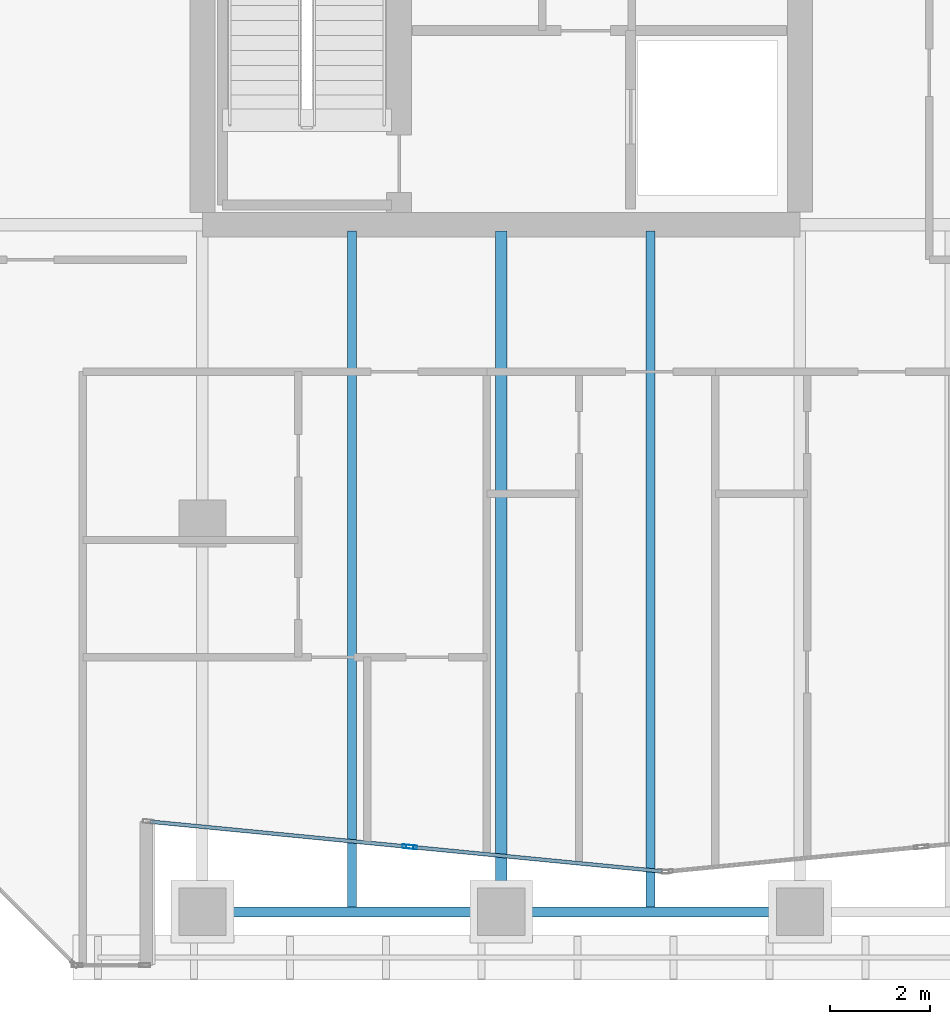
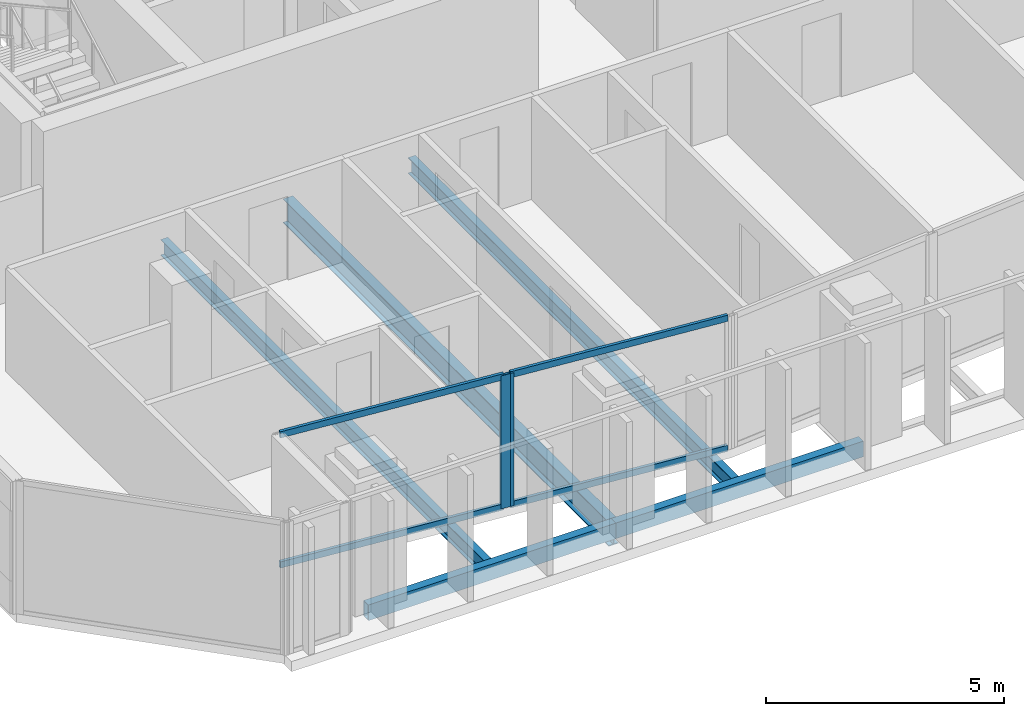
# One storey, part 3 of 39: 6 members, 5 beams, 2 elements without a shape of their own.
"""IFC4 building model written with IfcOpenShell, lengths in metres."""

from ifc_helpers import new_model, si_unit, direction, frame, origin, origin_2d, place, context, subcontext, project, spatial, hollow_rectangle, i_section, extrude, material, layer, layer_set, material_profile, profile_set, type_object, element, aggregate, save


model = new_model("IFC4")

# Units and contexts
model_context = context("Model", 3, precision=1e-05, world=origin(), true_north=direction((0.0, 1.0)))
body_context = subcontext(model_context, "Body", "Model", "MODEL_VIEW")
ifc_project = project(units=[si_unit("LENGTHUNIT", "METRE"), si_unit("AREAUNIT", "SQUARE_METRE"), si_unit("VOLUMEUNIT", "CUBIC_METRE"), si_unit("PLANEANGLEUNIT", "RADIAN"), si_unit("MASSUNIT", "GRAM", prefix="KILO")], contexts=[model_context])

# Site, building, storey
site_placement = place(None, origin())
site = spatial("IfcSite", under=ifc_project, at=site_placement, CompositionType="ELEMENT")
building_placement = place(site_placement, origin())
building = spatial("IfcBuilding", under=site, at=building_placement, Name="Tanjung Sevakor Pilgrim Tower", CompositionType="ELEMENT")
storey_placement = place(building_placement, frame((0.0, 0.0, 112.199951171875)))
storey = spatial("IfcBuildingStorey", under=building, at=storey_placement, Name="L31", CompositionType="ELEMENT", Elevation=112.199951171875)

# Beams
ifc_material_1 = material(Name="Steel S355J2", Category="steel")
ifc_material_profile_1 = material_profile(ifc_material_1, i_section(OverallWidth=0.230224609375, OverallDepth=0.6171875, WebThickness=0.01318359375, FlangeThickness=0.022216796875, FilletRadius=0.0126953125, at=origin_2d()))
ifc_profile_set_1 = profile_set([ifc_material_profile_1], Name="Steel S355J2")
beam_type_1 = type_object("IfcBeamType", Name="BM-B-G3-UB_610x229x140", PredefinedType="BEAM", material=ifc_profile_set_1)
beam_placement = place(storey_placement, frame((30.0, 10.800048828125, -0.528564453125), z_axis=(0.0, 1.0, 0.0), x_axis=(-1.0, 0.0, 0.0)))
element("IfcBeam", 1, at=beam_placement, inside=storey, type_object=beam_type_1, Name="L31 MAIN Girder 005", PredefinedType="BEAM", context=body_context, shape_type="SweptSolid", body=[
    extrude(i_section(OverallWidth=0.230224609375, OverallDepth=0.6171875, WebThickness=0.01318359375, FlangeThickness=0.022216796875, FilletRadius=0.0126953125, at=origin_2d()), origin(), (0.0, 0.0, 1.0), 13.672607421875),
])
ifc_material_2 = material(Name="Steel S355J2", Category="steel")
ifc_material_profile_2 = material_profile(ifc_material_2, i_section(OverallWidth=0.1787109375, OverallDepth=0.409423828125, WebThickness=0.0087890625, FlangeThickness=0.014404296875, FilletRadius=0.01025390625, at=origin_2d()))
ifc_profile_set_2 = profile_set([ifc_material_profile_2], Name="Steel S355J2")
beam_type_2 = type_object("IfcBeamType", Name="BM-B-J3-UB_406x178x67", PredefinedType="JOIST", material=ifc_profile_set_2)
for number, where, z_axis, x_axis, name in (
    (2, (27.0, 10.89990234375, -0.424560546875), (0.0, 1.0, 0.0), (-1.0, 0.0, 0.0), "L31 MAIN Joist 003"),
    (3, (33.0, 10.89990234375, -0.424560546875), (0.0, 1.0, 0.0), (-1.0, 0.0, 0.0), "L31 MAIN Joist 007"),
):
    element("IfcBeam", number, at=place(storey_placement, frame(where, z_axis=z_axis, x_axis=x_axis)), inside=storey, type_object=beam_type_2, Name=name, PredefinedType="JOIST", context=body_context, shape_type="SweptSolid", body=[
        extrude(i_section(OverallWidth=0.1787109375, OverallDepth=0.409423828125, WebThickness=0.0087890625, FlangeThickness=0.014404296875, FilletRadius=0.01025390625, at=origin_2d()), origin(), (0.0, 0.0, 1.0), 13.57275390625),
    ])
ifc_material_3 = material(Name="Steel S355J2", Category="steel")
ifc_material_profile_3 = material_profile(ifc_material_3, hollow_rectangle(XDim=0.199951171875, YDim=0.39990234375, WallThickness=0.01611328125, at=origin_2d()))
ifc_profile_set_3 = profile_set([ifc_material_profile_3], Name="Steel S355J2")
beam_type_3 = type_object("IfcBeamType", Name="BM-B-SP2-RHS_400x200x16", PredefinedType="SPANDREL", material=ifc_profile_set_3)
for number, where, z_axis, x_axis, name in (
    (4, (24.0, 10.800048828125, -0.419921875), (1.0, 0.0, 0.0), (0.0, 1.0, 0.0), "L31 Spandrel MAIN S-01"),
    (5, (30.0, 10.800048828125, -0.419921875), (1.0, 0.0, 0.0), (0.0, 1.0, 0.0), "L31 Spandrel MAIN S-03"),
):
    element("IfcBeam", number, at=place(storey_placement, frame(where, z_axis=z_axis, x_axis=x_axis)), inside=storey, type_object=beam_type_3, Name=name, PredefinedType="SPANDREL", context=body_context, shape_type="SweptSolid", body=[
        extrude(hollow_rectangle(XDim=0.199951171875, YDim=0.39990234375, WallThickness=0.01611328125, at=origin_2d()), origin(), (0.0, 0.0, 1.0), 6.0),
    ])

# Curtain wall, member
ifc_material_4 = material(Name="Aluminium 6063-T6 and Low-E Glass", Category="aluminium")
ifc_layer = layer(ifc_material_4, 0.199951171875)
ifc_layer_set = layer_set([ifc_layer], Name="CW-SYS-PRAY")
curtain_wall_type = type_object("IfcCurtainWallType", Name="CW-SYS-PRAY", PredefinedType="NOTDEFINED", material=ifc_layer_set)
curtain_wall_1_placement = place(storey_placement, origin())
curtain_wall_1 = element("IfcCurtainWall", 6, at=curtain_wall_1_placement, inside=storey, type_object=curtain_wall_type, Name="L31 Curtain Wall CW-PRY-L31-2", PredefinedType="NOTDEFINED")
ifc_material_5 = material(Name="Aluminium 6063-T6", Category="aluminium")
ifc_material_profile_4 = material_profile(ifc_material_5, hollow_rectangle(XDim=0.074951171875, YDim=0.219970703125, WallThickness=0.0048828125, at=origin_2d()))
ifc_profile_set_4 = profile_set([ifc_material_profile_4], Name="Aluminium 6063-T6")
member_type_1 = type_object("IfcMemberType", Name="TYPE-CWM-2", PredefinedType="MULLION", material=ifc_profile_set_4)
member_1_placement = place(storey_placement, frame((28.124755859375, 12.10791015625, 0.0), z_axis=(0.0, 0.0, 1.0), x_axis=(0.096631025687, 0.995320272513, 0.0)))
member_1 = element("IfcMember", 7, at=member_1_placement, type_object=member_type_1, Name="CW-PRY mullion 2", PredefinedType="MULLION", context=body_context, shape_type="SweptSolid", body=[
    extrude(hollow_rectangle(XDim=0.074951171875, YDim=0.219970703125, WallThickness=0.0048828125, at=origin_2d()), origin(), (0.0, 0.0, 1.0), 3.41015625),
])

curtain_wall_2_placement = place(storey_placement, origin())
curtain_wall_2 = element("IfcCurtainWall", 8, at=curtain_wall_2_placement, inside=storey, type_object=curtain_wall_type, Name="L31 Curtain Wall CW-PRY-L31-3", PredefinedType="NOTDEFINED")
member_2_placement = place(storey_placement, frame((28.199462890625, 12.100830078125, 0.0), z_axis=(0.0, 0.0, 1.0), x_axis=(0.096628173007, 0.995320549462, 0.0)))
member_2 = element("IfcMember", 9, at=member_2_placement, type_object=member_type_1, Name="CW-PRY mullion 1", PredefinedType="MULLION", context=body_context, shape_type="SweptSolid", body=[
    extrude(hollow_rectangle(XDim=0.074951171875, YDim=0.219970703125, WallThickness=0.0048828125, at=origin_2d()), origin(), (0.0, 0.0, 1.0), 3.41015625),
])

# Member
ifc_material_6 = material(Name="Aluminium 6063-T6", Category="aluminium")
ifc_material_profile_5 = material_profile(ifc_material_6, hollow_rectangle(XDim=0.074951171875, YDim=0.159912109375, WallThickness=0.00439453125, at=origin_2d()))
ifc_profile_set_5 = profile_set([ifc_material_profile_5], Name="Aluminium 6063-T6")
member_type_2 = type_object("IfcMemberType", Name="TYPE-CWT-2", PredefinedType="USERDEFINED", material=ifc_profile_set_5)
member_3_placement = place(storey_placement, frame((22.94970703125, 12.6103515625, 0.03759765625), z_axis=(0.995320564956, -0.09662801341, 0.0), x_axis=(0.09662801341, 0.995320564956, 0.0)))
member_3 = element("IfcMember", 10, at=member_3_placement, type_object=member_type_2, Name="CW-PRY transom 1.1", ObjectType="TRANSOM", PredefinedType="USERDEFINED", context=body_context, shape_type="SweptSolid", body=[
    extrude(hollow_rectangle(XDim=0.074951171875, YDim=0.159912109375, WallThickness=0.00439453125, at=origin_2d()), origin(), (0.0, 0.0, 1.0), 5.161865234375),
])

member_4_placement = place(storey_placement, frame((22.94970703125, 12.6103515625, 3.37255859375), z_axis=(0.995320564956, -0.09662801341, 0.0), x_axis=(0.09662801341, 0.995320564956, 0.0)))
member_4 = element("IfcMember", 11, at=member_4_placement, type_object=member_type_2, Name="CW-PRY transom 1.2", ObjectType="TRANSOM", PredefinedType="USERDEFINED", context=body_context, shape_type="SweptSolid", body=[
    extrude(hollow_rectangle(XDim=0.074951171875, YDim=0.159912109375, WallThickness=0.00439453125, at=origin_2d()), origin(), (0.0, 0.0, 1.0), 5.161865234375),
])

aggregate(curtain_wall_1, [member_1, member_3, member_4])

member_5_placement = place(storey_placement, frame((28.23681640625, 12.09716796875, 0.03759765625), z_axis=(0.995319078392, -0.096643324599, 0.0), x_axis=(0.096643324599, 0.995319078392, 0.0)))
member_5 = element("IfcMember", 12, at=member_5_placement, type_object=member_type_2, Name="CW-PRY transom 1.1", ObjectType="TRANSOM", PredefinedType="USERDEFINED", context=body_context, shape_type="SweptSolid", body=[
    extrude(hollow_rectangle(XDim=0.074951171875, YDim=0.159912109375, WallThickness=0.00439453125, at=origin_2d()), origin(), (0.0, 0.0, 1.0), 5.011962890625),
])

member_6_placement = place(storey_placement, frame((28.23681640625, 12.09716796875, 3.37255859375), z_axis=(0.995319078392, -0.096643324599, 0.0), x_axis=(0.096643324599, 0.995319078392, 0.0)))
member_6 = element("IfcMember", 13, at=member_6_placement, type_object=member_type_2, Name="CW-PRY transom 1.2", ObjectType="TRANSOM", PredefinedType="USERDEFINED", context=body_context, shape_type="SweptSolid", body=[
    extrude(hollow_rectangle(XDim=0.074951171875, YDim=0.159912109375, WallThickness=0.00439453125, at=origin_2d()), origin(), (0.0, 0.0, 1.0), 5.011962890625),
])

aggregate(curtain_wall_2, [member_2, member_5, member_6])

save(model, "model.ifc")
